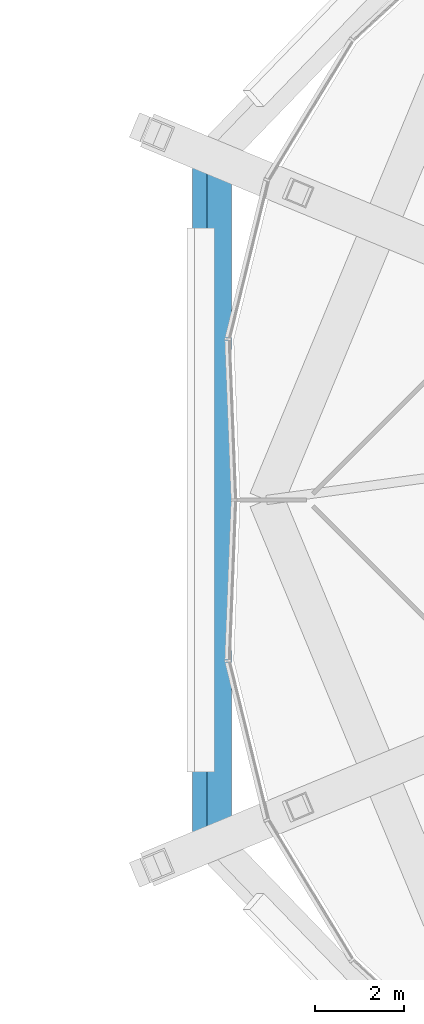
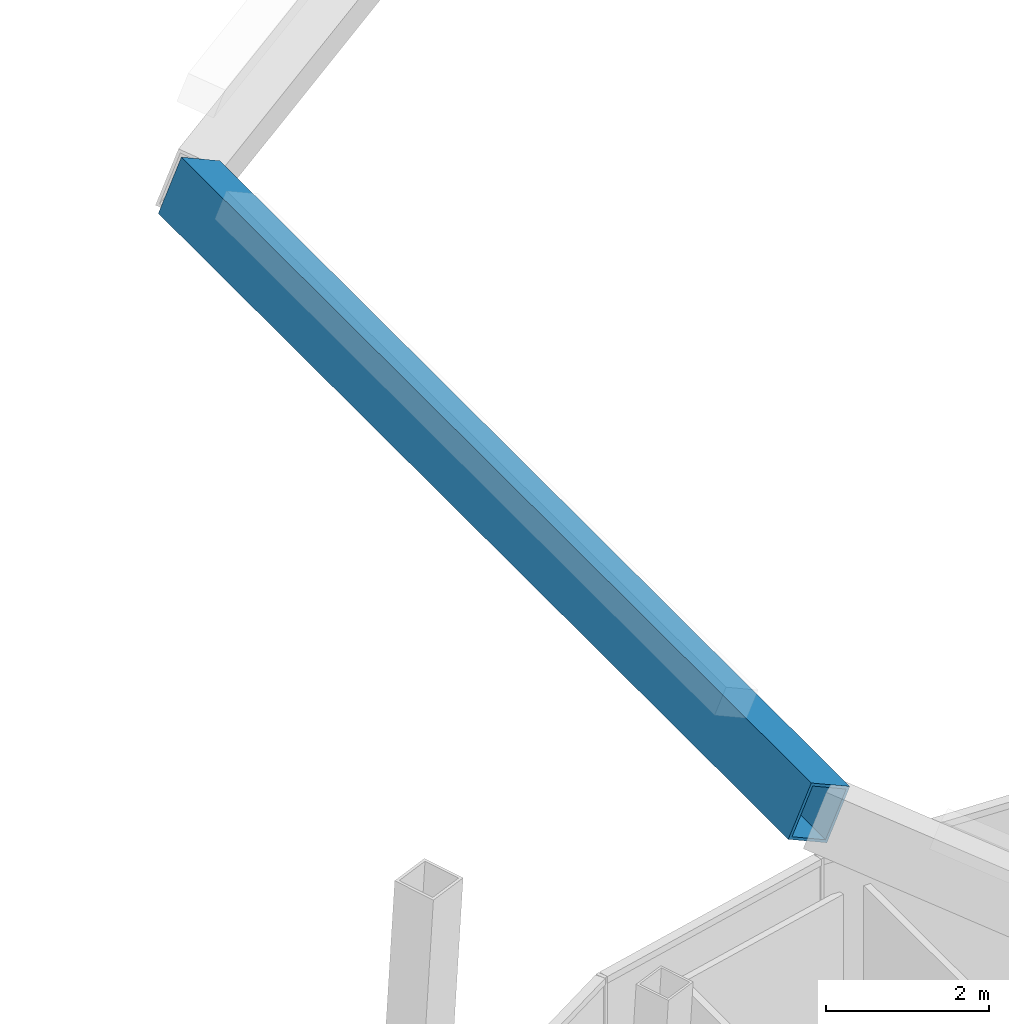
# One storey, part 17 of 34: 1 beam.
"""IFC4 building model written with IfcOpenShell, lengths in metres."""

from ifc_helpers import new_model, si_unit, direction, frame, origin, origin_2d, place, context, subcontext, project, spatial, hollow_rectangle, extrude, material, material_profile, profile_set, type_object, element, save


model = new_model("IFC4")

# Units and contexts
model_context = context("Model", 3, precision=1e-05, world=origin(), true_north=direction((0.0, 1.0)))
body_context = subcontext(model_context, "Body", "Model", "MODEL_VIEW")
ifc_project = project(units=[si_unit("LENGTHUNIT", "METRE"), si_unit("AREAUNIT", "SQUARE_METRE"), si_unit("VOLUMEUNIT", "CUBIC_METRE"), si_unit("PLANEANGLEUNIT", "RADIAN"), si_unit("MASSUNIT", "GRAM", prefix="KILO")], contexts=[model_context])

# Site, building, storey
site_placement = place(None, origin())
site = spatial("IfcSite", under=ifc_project, at=site_placement, CompositionType="ELEMENT")
building_placement = place(site_placement, origin())
building = spatial("IfcBuilding", under=site, at=building_placement, Name="Ogive Gate Towers", CompositionType="ELEMENT")
storey_placement = place(building_placement, frame((0.0, 0.0, 294.0)))
storey = spatial("IfcBuildingStorey", under=building, at=storey_placement, Name="L69", CompositionType="ELEMENT", Elevation=294.0)

# Beam
ifc_material = material(Name="Steel SM460", Category="steel")
ifc_material_profile = material_profile(ifc_material, hollow_rectangle(XDim=0.60009765625, YDim=0.800048828125, WallThickness=0.0400390625, at=origin_2d()), Name="BX 800x600x40")
ifc_profile_set = profile_set([ifc_material_profile], Name="Steel SM460")
beam_type = type_object("IfcBeamType", Name="Crown ring beam BX 800x600x40", PredefinedType="BEAM", material=ifc_profile_set)
beam_placement = place(storey_placement, frame((17.31591796875, 7.7392578125, 25.42041015625), z_axis=(0.0, -1.0, 0.0), x_axis=(-0.91281824834, 0.0, 0.408366068006)))
element("IfcBeam", 1, at=beam_placement, inside=storey, type_object=beam_type, Name="T2/L69/SBM004", PredefinedType="BEAM", context=body_context, shape_type="SweptSolid", body=[
    extrude(hollow_rectangle(XDim=0.60009765625, YDim=0.800048828125, WallThickness=0.0400390625, at=origin_2d()), origin(), (0.0, 0.0, 1.0), 15.478515625),
])

save(model, "model.ifc")
